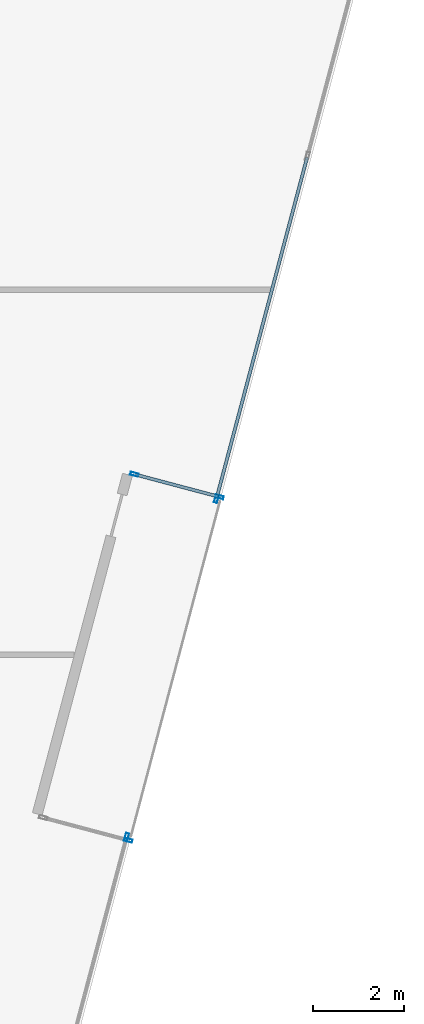
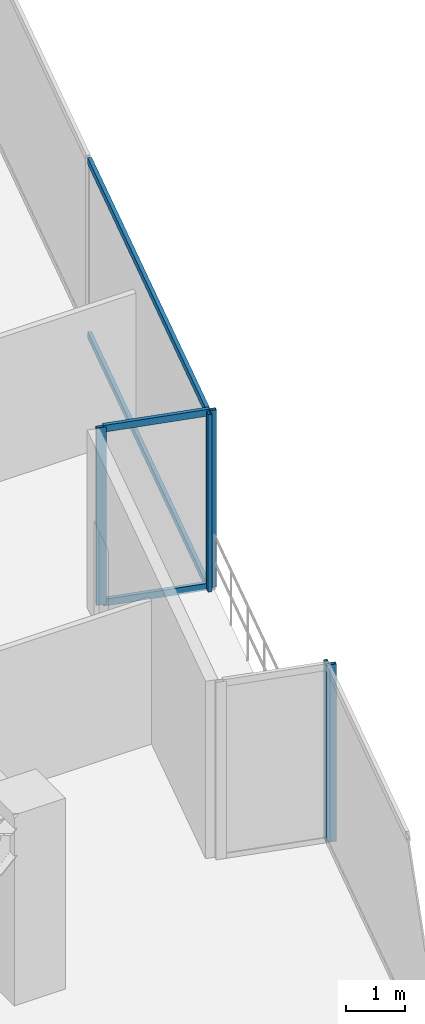
# One storey, part 13 of 27: 9 members, 4 elements without a shape of their own.
"""IFC4 building model written with IfcOpenShell, lengths in metres."""

from ifc_helpers import new_model, si_unit, direction, frame, origin, origin_2d, place, context, subcontext, project, spatial, hollow_rectangle, extrude, source, transform, mapped, material, material_profile, profile_set, type_object, type_shapes, element, aggregate, save


model = new_model("IFC4")

# Units and contexts
model_context = context("Model", 3, precision=1e-05, world=origin(), true_north=direction((0.0, 1.0)))
body_context = subcontext(model_context, "Body", "Model", "MODEL_VIEW")
ifc_project = project(units=[si_unit("LENGTHUNIT", "METRE"), si_unit("AREAUNIT", "SQUARE_METRE"), si_unit("VOLUMEUNIT", "CUBIC_METRE"), si_unit("PLANEANGLEUNIT", "RADIAN"), si_unit("MASSUNIT", "GRAM", prefix="KILO")], contexts=[model_context])

# Site, building, storey
site_placement = place(None, origin())
site = spatial("IfcSite", under=ifc_project, at=site_placement, CompositionType="ELEMENT")
building_placement = place(site_placement, origin())
building = spatial("IfcBuilding", under=site, at=building_placement, Name="Krantzveldt Concourse Tower", CompositionType="ELEMENT")
storey_placement = place(building_placement, frame((0.0, 0.0, 97.949951171875)))
storey = spatial("IfcBuildingStorey", under=building, at=storey_placement, Name="L23", CompositionType="ELEMENT", Elevation=97.949951171875)

# Curtain wall, member
ifc_material = material(Name="Anodised aluminium 6063-T6", Category="aluminium")
curtain_wall_type_1 = type_object("IfcCurtainWallType", Name="CW2", PredefinedType="USERDEFINED", material=ifc_material)
curtain_wall_1_placement = place(storey_placement, origin())
curtain_wall_1 = element("IfcCurtainWall", 1, at=curtain_wall_1_placement, inside=storey, type_object=curtain_wall_type_1, Name="CW-L23-F07", ObjectType="UNITISED CURTAIN WALL", PredefinedType="USERDEFINED")
ifc_material_profile_1 = material_profile(ifc_material, hollow_rectangle(XDim=0.070068359375, YDim=0.179931640625, WallThickness=0.0048828125, at=origin_2d()), Name="Anodised aluminium 6063-T6", Category="aluminium")
ifc_profile_set_1 = profile_set([ifc_material_profile_1], Name="Anodised aluminium 6063-T6 - ALU-MULL 180x70x5")
member_type_1 = type_object("IfcMemberType", Name="CW-MUL-180", PredefinedType="MULLION", material=ifc_profile_set_1)
shared_shape_1 = source(origin(), body_context, "Body", "SweptSolid", [
    extrude(hollow_rectangle(XDim=0.070068359375, YDim=0.179931640625, WallThickness=0.0048828125, at=origin_2d()), origin(), (0.0, 0.0, 1.0), 3.670166015625),
])
type_shapes(member_type_1, [shared_shape_1])
member_1_placement = place(storey_placement, frame((57.54443359375, 17.009521484375, 0.0), z_axis=(0.0, 0.0, 1.0), x_axis=(-0.966488210944, 0.256711001141, 0.0)))
member_1 = element("IfcMember", 2, at=member_1_placement, type_object=member_type_1, Name="CW-Z12 mullion 3", PredefinedType="MULLION", context=body_context, shape_type="MappedRepresentation", body=[
    mapped(shared_shape_1, transform((0.0, 0.0, 0.0), x_axis=(1.0, 0.0, 0.0), y_axis=(0.0, 1.0, 0.0), z_axis=(0.0, 0.0, 1.0), scale=1.0)),
])
aggregate(curtain_wall_1, [member_1])

curtain_wall_type_2 = type_object("IfcCurtainWallType", Name="CW6", PredefinedType="USERDEFINED", material=ifc_material)
curtain_wall_2_placement = place(storey_placement, origin())
curtain_wall_2 = element("IfcCurtainWall", 3, at=curtain_wall_2_placement, inside=storey, type_object=curtain_wall_type_2, Name="CW-L23-TR08", ObjectType="UNITISED CURTAIN WALL", PredefinedType="USERDEFINED")
member_2_placement = place(storey_placement, frame((57.58349609375, 16.9423828125, 0.0), z_axis=(0.0, 0.0, 1.0), x_axis=(-0.256714292587, -0.96648733669, 0.0)))
member_2 = element("IfcMember", 4, at=member_2_placement, type_object=member_type_1, Name="CW-TERR mullion 1", PredefinedType="MULLION", context=body_context, shape_type="MappedRepresentation", body=[
    mapped(shared_shape_1, transform((0.0, 0.0, 0.0), x_axis=(1.0, 0.0, 0.0), y_axis=(0.0, 1.0, 0.0), z_axis=(0.0, 0.0, 1.0), scale=1.0)),
])
aggregate(curtain_wall_2, [member_2])

# Curtain wall, members
curtain_wall_3_placement = place(storey_placement, origin())
curtain_wall_3 = element("IfcCurtainWall", 5, at=curtain_wall_3_placement, inside=storey, type_object=curtain_wall_type_2, Name="CW-L23-TR10", ObjectType="UNITISED CURTAIN WALL", PredefinedType="USERDEFINED")
member_3_placement = place(storey_placement, frame((57.71533203125, 24.95703125, 0.0), z_axis=(0.0, 0.0, 1.0), x_axis=(0.256709622099, 0.966488577233, 0.0)))
member_3 = element("IfcMember", 6, at=member_3_placement, type_object=member_type_1, Name="CW-TERR mullion 1", PredefinedType="MULLION", context=body_context, shape_type="MappedRepresentation", body=[
    mapped(shared_shape_1, transform((0.0, 0.0, 0.0), x_axis=(1.0, 0.0, 0.0), y_axis=(0.0, 1.0, 0.0), z_axis=(0.0, 0.0, 1.0), scale=1.0)),
])
member_4_placement = place(storey_placement, frame((59.58056640625, 24.461669921875, 0.0), z_axis=(0.0, 0.0, 1.0), x_axis=(0.256709622099, 0.966488577233, 0.0)))
member_4 = element("IfcMember", 7, at=member_4_placement, type_object=member_type_1, Name="CW-TERR mullion 2", PredefinedType="MULLION", context=body_context, shape_type="MappedRepresentation", body=[
    mapped(shared_shape_1, transform((0.0, 0.0, 0.0), x_axis=(1.0, 0.0, 0.0), y_axis=(0.0, 1.0, 0.0), z_axis=(0.0, 0.0, 1.0), scale=1.0)),
])

# Curtain wall, member
curtain_wall_4_placement = place(storey_placement, origin())
curtain_wall_4 = element("IfcCurtainWall", 8, at=curtain_wall_4_placement, inside=storey, type_object=curtain_wall_type_1, Name="CW-L23-F11", ObjectType="UNITISED CURTAIN WALL", PredefinedType="USERDEFINED")
member_5_placement = place(storey_placement, frame((59.513427734375, 24.422607421875, 0.0), z_axis=(0.0, 0.0, 1.0), x_axis=(-0.966488210944, 0.256711001141, 0.0)))
member_5 = element("IfcMember", 9, at=member_5_placement, type_object=member_type_1, Name="CW-Z12 mullion 1", PredefinedType="MULLION", context=body_context, shape_type="MappedRepresentation", body=[
    mapped(shared_shape_1, transform((0.0, 0.0, 0.0), x_axis=(1.0, 0.0, 0.0), y_axis=(0.0, 1.0, 0.0), z_axis=(0.0, 0.0, 1.0), scale=1.0)),
])

# Member
ifc_material_profile_2 = material_profile(ifc_material, hollow_rectangle(XDim=0.070068359375, YDim=0.139892578125, WallThickness=0.0048828125, at=origin_2d()), Name="Anodised aluminium 6063-T6", Category="aluminium")
ifc_profile_set_2 = profile_set([ifc_material_profile_2], Name="Anodised aluminium 6063-T6 - ALU-TRAN 140x70x5")
member_type_2 = type_object("IfcMemberType", Name="CW-TRN-150", PredefinedType="USERDEFINED", material=ifc_profile_set_2)
shared_shape_2 = source(origin(), body_context, "Body", "SweptSolid", [
    extrude(hollow_rectangle(XDim=0.070068359375, YDim=0.139892578125, WallThickness=0.0048828125, at=origin_2d()), origin(), (0.0, 0.0, 1.0), 1.860107421875),
])
member_6_placement = place(storey_placement, frame((57.7490234375, 24.947998046875, 0.03515625), z_axis=(0.966487162164, -0.256714949646, 0.0), x_axis=(0.256714949646, 0.966487162164, 0.0)))
member_6 = element("IfcMember", 10, at=member_6_placement, type_object=member_type_2, Name="CW-TERR transom 1.1", ObjectType="TRANSOM", PredefinedType="USERDEFINED", context=body_context, shape_type="MappedRepresentation", body=[
    mapped(shared_shape_2, transform((0.0, 0.0, 0.0), x_axis=(1.0, 0.0, 0.0), y_axis=(0.0, 1.0, 0.0), z_axis=(0.0, 0.0, 1.0), scale=1.0)),
])

member_7_placement = place(storey_placement, frame((57.7490234375, 24.947998046875, 3.635009765625), z_axis=(0.966487162164, -0.256714949646, 0.0), x_axis=(0.256714949646, 0.966487162164, 0.0)))
member_7 = element("IfcMember", 11, at=member_7_placement, type_object=member_type_2, Name="CW-TERR transom 1.2", ObjectType="TRANSOM", PredefinedType="USERDEFINED", context=body_context, shape_type="MappedRepresentation", body=[
    mapped(shared_shape_2, transform((0.0, 0.0, 0.0), x_axis=(1.0, 0.0, 0.0), y_axis=(0.0, 1.0, 0.0), z_axis=(0.0, 0.0, 1.0), scale=1.0)),
])

aggregate(curtain_wall_3, [member_3, member_4, member_6, member_7])

shared_shape_3 = source(origin(), body_context, "Body", "SweptSolid", [
    extrude(hollow_rectangle(XDim=0.070068359375, YDim=0.139892578125, WallThickness=0.0048828125, at=origin_2d()), origin(), (0.0, 0.0, 1.0), 7.695068359375),
])
type_shapes(member_type_2, [shared_shape_2, shared_shape_3])
member_8_placement = place(storey_placement, frame((59.522216796875, 24.456298828125, 0.03515625), z_axis=(0.256730483755, 0.966483035915, 0.0), x_axis=(-0.966483035915, 0.256730483755, 0.0)))
member_8 = element("IfcMember", 12, at=member_8_placement, type_object=member_type_2, Name="CW-Z12 transom 1.1", ObjectType="TRANSOM", PredefinedType="USERDEFINED", context=body_context, shape_type="MappedRepresentation", body=[
    mapped(shared_shape_3, transform((0.0, 0.0, 0.0), x_axis=(1.0, 0.0, 0.0), y_axis=(0.0, 1.0, 0.0), z_axis=(0.0, 0.0, 1.0), scale=1.0)),
])

member_9_placement = place(storey_placement, frame((59.522216796875, 24.456298828125, 3.635009765625), z_axis=(0.256730483755, 0.966483035915, 0.0), x_axis=(-0.966483035915, 0.256730483755, 0.0)))
member_9 = element("IfcMember", 13, at=member_9_placement, type_object=member_type_2, Name="CW-Z12 transom 1.2", ObjectType="TRANSOM", PredefinedType="USERDEFINED", context=body_context, shape_type="MappedRepresentation", body=[
    mapped(shared_shape_3, transform((0.0, 0.0, 0.0), x_axis=(1.0, 0.0, 0.0), y_axis=(0.0, 1.0, 0.0), z_axis=(0.0, 0.0, 1.0), scale=1.0)),
])

aggregate(curtain_wall_4, [member_5, member_8, member_9])

save(model, "model.ifc")
